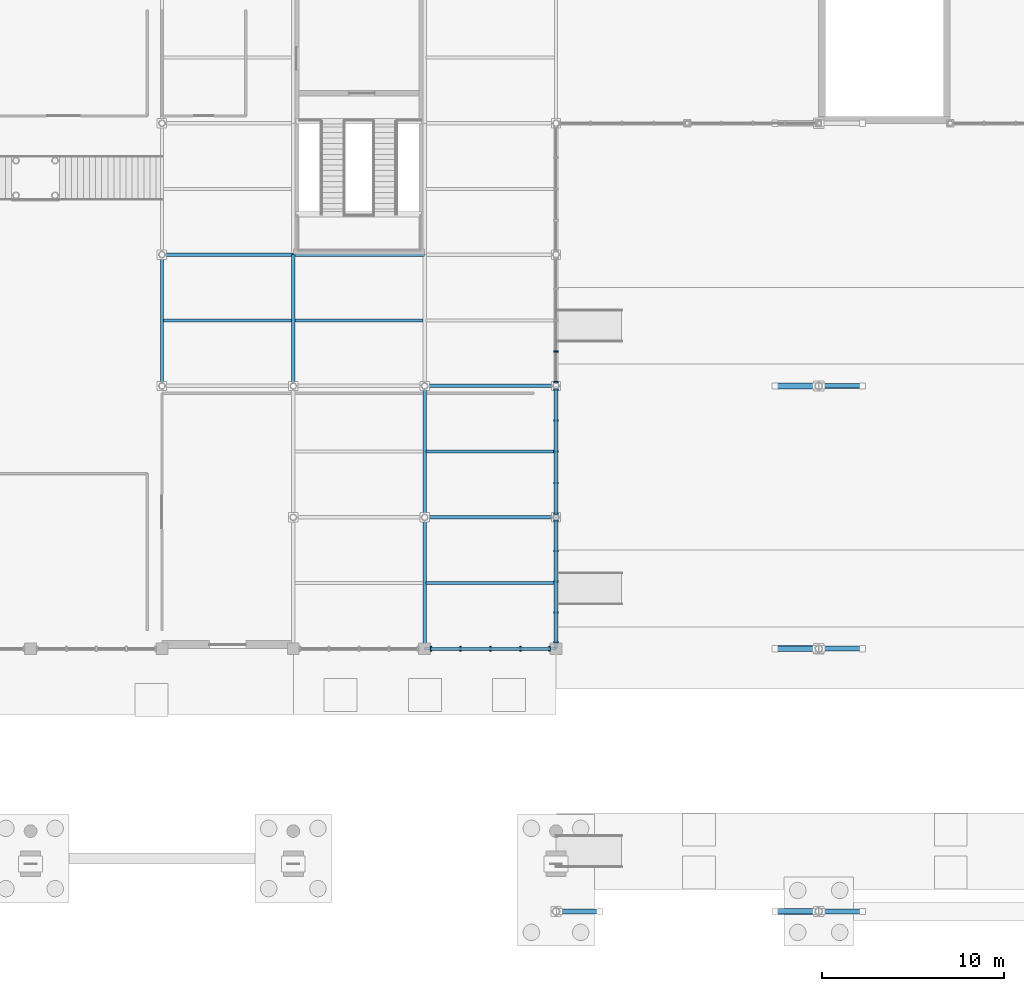
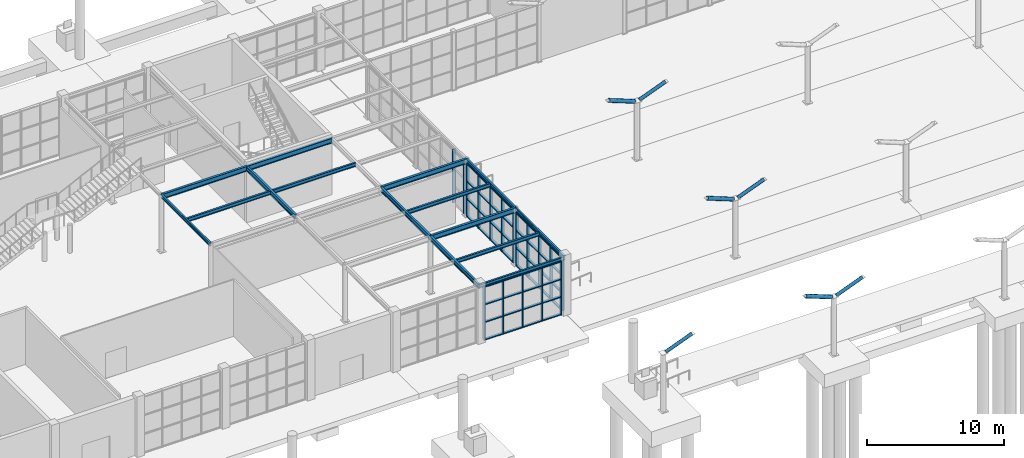
# One storey, part 25 of 75: 36 members, 15 beams, 4 elements without a shape of their own.
"""IFC4 building model written with IfcOpenShell, lengths in metres."""

from ifc_helpers import new_model, si_unit, direction, frame, origin, origin_2d, place, context, subcontext, project, spatial, rectangle, hollow_circle, i_section, extrude, material, material_profile, profile_set, type_object, element, aggregate, save


model = new_model("IFC4")

# Units and contexts
model_context = context("Model", 3, precision=1e-05, world=origin(), true_north=direction((0.0, 1.0)))
body_context = subcontext(model_context, "Body", "Model", "MODEL_VIEW")
ifc_project = project(units=[si_unit("LENGTHUNIT", "METRE"), si_unit("AREAUNIT", "SQUARE_METRE"), si_unit("VOLUMEUNIT", "CUBIC_METRE"), si_unit("PLANEANGLEUNIT", "RADIAN"), si_unit("MASSUNIT", "GRAM", prefix="KILO")], contexts=[model_context])

# Site, building, storey
site_placement = place(None, origin())
site = spatial("IfcSite", under=ifc_project, at=site_placement, CompositionType="ELEMENT")
building_placement = place(site_placement, origin())
building = spatial("IfcBuilding", under=site, at=building_placement, Name="Leyfeld Transit Interchange", CompositionType="ELEMENT")
storey_placement = place(building_placement, origin())
storey = spatial("IfcBuildingStorey", under=building, at=storey_placement, Name="L00", CompositionType="ELEMENT", Elevation=0.0)

# Beams
ifc_material_1 = material(Name="Steel S355J2", Category="steel")
ifc_material_profile_1 = material_profile(ifc_material_1, i_section(OverallWidth=0.14990234375, OverallDepth=0.300048828125, WebThickness=0.007080078125, FlangeThickness=0.0107421875, FilletRadius=0.014892578125, at=origin_2d()), Name="IPE 300")
ifc_profile_set_1 = profile_set([ifc_material_profile_1], Name="Steel S355J2")
beam_type_1 = type_object("IfcBeamType", Name="BM-STL-IPE300", PredefinedType="SPANDREL", material=ifc_profile_set_1)
beam_1_placement = place(storey_placement, frame((79.199951171875, 28.800048828125, 4.949951171875), z_axis=(0.0, 1.0, 0.0), x_axis=(-1.0, 0.0, 0.0)))
element("IfcBeam", 1, at=beam_1_placement, inside=storey, type_object=beam_type_1, Name="Beam BM-L00-0792_0288-0792_0360", PredefinedType="SPANDREL", context=body_context, shape_type="SweptSolid", body=[
    extrude(i_section(OverallWidth=0.14990234375, OverallDepth=0.300048828125, WebThickness=0.007080078125, FlangeThickness=0.0107421875, FilletRadius=0.014892578125, at=origin_2d()), origin(), (0.0, 0.0, 1.0), 7.199951171875),
])
beam_2_placement = place(storey_placement, frame((100.800048828125, 14.39990234375, 4.949951171875), z_axis=(0.0, 1.0, 0.0), x_axis=(-1.0, 0.0, 0.0)))
element("IfcBeam", 2, at=beam_2_placement, inside=storey, type_object=beam_type_1, Name="Beam BM-L00-1008_0144-1008_0216", PredefinedType="SPANDREL", context=body_context, shape_type="SweptSolid", body=[
    extrude(i_section(OverallWidth=0.14990234375, OverallDepth=0.300048828125, WebThickness=0.007080078125, FlangeThickness=0.0107421875, FilletRadius=0.014892578125, at=origin_2d()), origin(), (0.0, 0.0, 1.0), 7.2001953125),
])
for number, where, z_axis, x_axis, name in (
    (3, (100.800048828125, 21.60009765625, 4.949951171875), (0.0, 1.0, 0.0), (-1.0, 0.0, 0.0), "Beam BM-L00-1008_0216-1008_0288"),
    (4, (93.60009765625, 14.39990234375, 4.949951171875), (1.0, 0.0, 0.0), (0.0, 1.0, 0.0), "Beam BM-L00-0936_0144-1008_0144"),
):
    element("IfcBeam", number, at=place(storey_placement, frame(where, z_axis=z_axis, x_axis=x_axis)), inside=storey, type_object=beam_type_1, Name=name, PredefinedType="SPANDREL", context=body_context, shape_type="SweptSolid", body=[
        extrude(i_section(OverallWidth=0.14990234375, OverallDepth=0.300048828125, WebThickness=0.007080078125, FlangeThickness=0.0107421875, FilletRadius=0.014892578125, at=origin_2d()), origin(), (0.0, 0.0, 1.0), 7.199951171875),
    ])
ifc_material_profile_2 = material_profile(ifc_material_1, i_section(OverallWidth=0.159912109375, OverallDepth=0.330078125, WebThickness=0.007568359375, FlangeThickness=0.011474609375, FilletRadius=0.01806640625, at=origin_2d()), Name="IPE 330")
ifc_profile_set_2 = profile_set([ifc_material_profile_2], Name="Steel S355J2")
beam_type_2 = type_object("IfcBeamType", Name="BM-STL-IPE330", PredefinedType="BEAM", material=ifc_profile_set_2)
for number, where, z_axis, x_axis, name in (
    (5, (93.68701171875, 18.0, 4.93505859375), (1.0, 0.0, 0.0), (0.0, 1.0, 0.0), "Beam BM-L00-0937_0180-1007_0180"),
    (6, (93.68701171875, 25.199951171875, 4.93505859375), (1.0, 0.0, 0.0), (0.0, 1.0, 0.0), "Beam BM-L00-0937_0252-1007_0252"),
    (7, (79.27197265625, 32.39990234375, 4.93505859375), (1.0, 0.0, 0.0), (0.0, 1.0, 0.0), "Beam BM-L00-0793_0324-0863_0324"),
):
    element("IfcBeam", number, at=place(storey_placement, frame(where, z_axis=z_axis, x_axis=x_axis)), inside=storey, type_object=beam_type_2, Name=name, PredefinedType="BEAM", context=body_context, shape_type="SweptSolid", body=[
        extrude(i_section(OverallWidth=0.159912109375, OverallDepth=0.330078125, WebThickness=0.007568359375, FlangeThickness=0.011474609375, FilletRadius=0.01806640625, at=origin_2d()), origin(), (0.0, 0.0, 1.0), 7.041015625),
    ])
beam_3_placement = place(storey_placement, frame((86.487060546875, 32.39990234375, 4.93505859375), z_axis=(1.0, 0.0, 0.0), x_axis=(0.0, 1.0, 0.0)))
element("IfcBeam", 8, at=beam_3_placement, inside=storey, type_object=beam_type_2, Name="Beam BM-L00-0865_0324-0935_0324", PredefinedType="BEAM", context=body_context, shape_type="SweptSolid", body=[
    extrude(i_section(OverallWidth=0.159912109375, OverallDepth=0.330078125, WebThickness=0.007568359375, FlangeThickness=0.011474609375, FilletRadius=0.01806640625, at=origin_2d()), origin(), (0.0, 0.0, 1.0), 7.02587890625),
])
ifc_material_profile_3 = material_profile(ifc_material_1, i_section(OverallWidth=0.179931640625, OverallDepth=0.39990234375, WebThickness=0.008544921875, FlangeThickness=0.013427734375, FilletRadius=0.02099609375, at=origin_2d()), Name="IPE 400")
ifc_profile_set_3 = profile_set([ifc_material_profile_3], Name="Steel S355J2")
beam_type_3 = type_object("IfcBeamType", Name="BM-STL-IPE400", PredefinedType="BEAM", material=ifc_profile_set_3)
beam_4_placement = place(storey_placement, frame((86.39990234375, 28.800048828125, 4.89990234375), z_axis=(0.0, 1.0, 0.0), x_axis=(-1.0, 0.0, 0.0)))
element("IfcBeam", 9, at=beam_4_placement, inside=storey, type_object=beam_type_3, Name="Beam BM-L00-0864_0288-0864_0360", PredefinedType="BEAM", context=body_context, shape_type="SweptSolid", body=[
    extrude(i_section(OverallWidth=0.179931640625, OverallDepth=0.39990234375, WebThickness=0.008544921875, FlangeThickness=0.013427734375, FilletRadius=0.02099609375, at=origin_2d()), origin(), (0.0, 0.0, 1.0), 7.199951171875),
])
beam_5_placement = place(storey_placement, frame((93.60009765625, 14.39990234375, 4.89990234375), z_axis=(0.0, 1.0, 0.0), x_axis=(-1.0, 0.0, 0.0)))
element("IfcBeam", 10, at=beam_5_placement, inside=storey, type_object=beam_type_3, Name="Beam BM-L00-0936_0144-0936_0216", PredefinedType="BEAM", context=body_context, shape_type="SweptSolid", body=[
    extrude(i_section(OverallWidth=0.179931640625, OverallDepth=0.39990234375, WebThickness=0.008544921875, FlangeThickness=0.013427734375, FilletRadius=0.02099609375, at=origin_2d()), origin(), (0.0, 0.0, 1.0), 7.2001953125),
])
beam_6_placement = place(storey_placement, frame((93.60009765625, 21.60009765625, 4.89990234375), z_axis=(0.0, 1.0, 0.0), x_axis=(-1.0, 0.0, 0.0)))
element("IfcBeam", 11, at=beam_6_placement, inside=storey, type_object=beam_type_3, Name="Beam BM-L00-0936_0216-0936_0288", PredefinedType="BEAM", context=body_context, shape_type="SweptSolid", body=[
    extrude(i_section(OverallWidth=0.179931640625, OverallDepth=0.39990234375, WebThickness=0.008544921875, FlangeThickness=0.013427734375, FilletRadius=0.02099609375, at=origin_2d()), origin(), (0.0, 0.0, 1.0), 7.199951171875),
])
ifc_material_profile_4 = material_profile(ifc_material_1, i_section(OverallWidth=0.18994140625, OverallDepth=0.449951171875, WebThickness=0.009521484375, FlangeThickness=0.0146484375, FilletRadius=0.02099609375, at=origin_2d()), Name="IPE 450")
ifc_profile_set_4 = profile_set([ifc_material_profile_4], Name="Steel S355J2")
beam_type_4 = type_object("IfcBeamType", Name="BM-STL-IPE450", PredefinedType="BEAM", material=ifc_profile_set_4)
for number, where, z_axis, x_axis, name in (
    (12, (93.60009765625, 21.60009765625, 4.875), (1.0, 0.0, 0.0), (0.0, 1.0, 0.0), "Beam BM-L00-0936_0216-1008_0216"),
    (13, (93.60009765625, 28.800048828125, 4.875), (1.0, 0.0, 0.0), (0.0, 1.0, 0.0), "Beam BM-L00-0936_0288-1008_0288"),
    (14, (79.199951171875, 36.0, 4.875), (1.0, 0.0, 0.0), (0.0, 1.0, 0.0), "Beam BM-L00-0792_0360-0864_0360"),
):
    element("IfcBeam", number, at=place(storey_placement, frame(where, z_axis=z_axis, x_axis=x_axis)), inside=storey, type_object=beam_type_4, Name=name, PredefinedType="BEAM", context=body_context, shape_type="SweptSolid", body=[
        extrude(i_section(OverallWidth=0.18994140625, OverallDepth=0.449951171875, WebThickness=0.009521484375, FlangeThickness=0.0146484375, FilletRadius=0.02099609375, at=origin_2d()), origin(), (0.0, 0.0, 1.0), 7.199951171875),
    ])
beam_7_placement = place(storey_placement, frame((86.39990234375, 36.0, 4.875), z_axis=(1.0, 0.0, 0.0), x_axis=(0.0, 1.0, 0.0)))
element("IfcBeam", 15, at=beam_7_placement, inside=storey, type_object=beam_type_4, Name="Beam BM-L00-0864_0360-0936_0360", PredefinedType="BEAM", context=body_context, shape_type="SweptSolid", body=[
    extrude(i_section(OverallWidth=0.18994140625, OverallDepth=0.449951171875, WebThickness=0.009521484375, FlangeThickness=0.0146484375, FilletRadius=0.02099609375, at=origin_2d()), origin(), (0.0, 0.0, 1.0), 7.2001953125),
])

# Curtain wall, members
ifc_material_2 = material(Name="Anodised aluminium EN AW-6060 T66", Category="aluminium")
curtain_wall_type = type_object("IfcCurtainWallType", Name="CW-SYS-ARC-7200", PredefinedType="NOTDEFINED", material=ifc_material_2)
curtain_wall_1_placement = place(storey_placement, origin())
curtain_wall_1 = element("IfcCurtainWall", 16, at=curtain_wall_1_placement, inside=storey, type_object=curtain_wall_type, Name="Curtain Wall CW-L00-029", PredefinedType="NOTDEFINED")
ifc_material_profile_5 = material_profile(ifc_material_2, rectangle(XDim=0.0849609375, YDim=0.260009765625, at=origin_2d()), Name="CW-M 85x260")
ifc_profile_set_5 = profile_set([ifc_material_profile_5], Name="Anodised aluminium EN AW-6060 T66")
member_type_1 = type_object("IfcMemberType", Name="CW-MUL-220x80", PredefinedType="MULLION", material=ifc_profile_set_5)
member_1_placement = place(storey_placement, frame((100.800048828125, 30.683837890625, 0.0), z_axis=(0.0, 0.0, 1.0), x_axis=(0.0, -1.0, 0.0)))
member_1 = element("IfcMember", 17, at=member_1_placement, type_object=member_type_1, Name="Curtain Mullion CW-L00-029-M04", PredefinedType="MULLION", context=body_context, shape_type="SweptSolid", body=[
    extrude(rectangle(XDim=0.0849609375, YDim=0.260009765625, at=origin_2d()), origin(), (0.0, 0.0, 1.0), 4.77001953125),
])
member_2_placement = place(storey_placement, frame((100.800048828125, 29.01025390625, 0.0), z_axis=(0.0, 0.0, 1.0), x_axis=(0.0, -1.0, 0.0)))
member_2 = element("IfcMember", 18, at=member_2_placement, type_object=member_type_1, Name="Curtain Mullion CW-L00-029-M05", PredefinedType="MULLION", context=body_context, shape_type="SweptSolid", body=[
    extrude(rectangle(XDim=0.0849609375, YDim=0.260009765625, at=origin_2d()), origin(), (0.0, 0.0, 1.0), 4.77001953125),
])
aggregate(curtain_wall_1, [member_1, member_2])

curtain_wall_2_placement = place(storey_placement, origin())
curtain_wall_2 = element("IfcCurtainWall", 19, at=curtain_wall_2_placement, inside=storey, type_object=curtain_wall_type, Name="Curtain Wall CW-L00-030", PredefinedType="NOTDEFINED")
member_3_placement = place(storey_placement, frame((100.800048828125, 28.589599609375, 0.0), z_axis=(0.0, 0.0, 1.0), x_axis=(0.0, -1.0, 0.0)))
member_3 = element("IfcMember", 20, at=member_3_placement, type_object=member_type_1, Name="Curtain Mullion CW-L00-030-M01", PredefinedType="MULLION", context=body_context, shape_type="SweptSolid", body=[
    extrude(rectangle(XDim=0.0849609375, YDim=0.260009765625, at=origin_2d()), origin(), (0.0, 0.0, 1.0), 4.77001953125),
])
member_4_placement = place(storey_placement, frame((100.800048828125, 26.916015625, 0.0), z_axis=(0.0, 0.0, 1.0), x_axis=(0.0, -1.0, 0.0)))
member_4 = element("IfcMember", 21, at=member_4_placement, type_object=member_type_1, Name="Curtain Mullion CW-L00-030-M02", PredefinedType="MULLION", context=body_context, shape_type="SweptSolid", body=[
    extrude(rectangle(XDim=0.0849609375, YDim=0.260009765625, at=origin_2d()), origin(), (0.0, 0.0, 1.0), 4.77001953125),
])
member_5_placement = place(storey_placement, frame((100.800048828125, 25.199951171875, 0.0), z_axis=(0.0, 0.0, 1.0), x_axis=(0.0, -1.0, 0.0)))
member_5 = element("IfcMember", 22, at=member_5_placement, type_object=member_type_1, Name="Curtain Mullion CW-L00-030-M03", PredefinedType="MULLION", context=body_context, shape_type="SweptSolid", body=[
    extrude(rectangle(XDim=0.0849609375, YDim=0.260009765625, at=origin_2d()), origin(), (0.0, 0.0, 1.0), 4.77001953125),
])
member_6_placement = place(storey_placement, frame((100.800048828125, 23.48388671875, 0.0), z_axis=(0.0, 0.0, 1.0), x_axis=(0.0, -1.0, 0.0)))
member_6 = element("IfcMember", 23, at=member_6_placement, type_object=member_type_1, Name="Curtain Mullion CW-L00-030-M04", PredefinedType="MULLION", context=body_context, shape_type="SweptSolid", body=[
    extrude(rectangle(XDim=0.0849609375, YDim=0.260009765625, at=origin_2d()), origin(), (0.0, 0.0, 1.0), 4.77001953125),
])
member_7_placement = place(storey_placement, frame((100.800048828125, 21.810302734375, 0.0), z_axis=(0.0, 0.0, 1.0), x_axis=(0.0, -1.0, 0.0)))
member_7 = element("IfcMember", 24, at=member_7_placement, type_object=member_type_1, Name="Curtain Mullion CW-L00-030-M05", PredefinedType="MULLION", context=body_context, shape_type="SweptSolid", body=[
    extrude(rectangle(XDim=0.0849609375, YDim=0.260009765625, at=origin_2d()), origin(), (0.0, 0.0, 1.0), 4.77001953125),
])

curtain_wall_3_placement = place(storey_placement, origin())
curtain_wall_3 = element("IfcCurtainWall", 25, at=curtain_wall_3_placement, inside=storey, type_object=curtain_wall_type, Name="Curtain Wall CW-L00-031", PredefinedType="NOTDEFINED")
member_8_placement = place(storey_placement, frame((100.800048828125, 21.3896484375, 0.0), z_axis=(0.0, 0.0, 1.0), x_axis=(0.0, -1.0, 0.0)))
member_8 = element("IfcMember", 26, at=member_8_placement, type_object=member_type_1, Name="Curtain Mullion CW-L00-031-M01", PredefinedType="MULLION", context=body_context, shape_type="SweptSolid", body=[
    extrude(rectangle(XDim=0.0849609375, YDim=0.260009765625, at=origin_2d()), origin(), (0.0, 0.0, 1.0), 4.77001953125),
])
member_9_placement = place(storey_placement, frame((100.800048828125, 19.7529296875, 0.0), z_axis=(0.0, 0.0, 1.0), x_axis=(0.0, -1.0, 0.0)))
member_9 = element("IfcMember", 27, at=member_9_placement, type_object=member_type_1, Name="Curtain Mullion CW-L00-031-M02", PredefinedType="MULLION", context=body_context, shape_type="SweptSolid", body=[
    extrude(rectangle(XDim=0.0849609375, YDim=0.260009765625, at=origin_2d()), origin(), (0.0, 0.0, 1.0), 4.77001953125),
])
member_10_placement = place(storey_placement, frame((100.800048828125, 18.073486328125, 0.0), z_axis=(0.0, 0.0, 1.0), x_axis=(0.0, -1.0, 0.0)))
member_10 = element("IfcMember", 28, at=member_10_placement, type_object=member_type_1, Name="Curtain Mullion CW-L00-031-M03", PredefinedType="MULLION", context=body_context, shape_type="SweptSolid", body=[
    extrude(rectangle(XDim=0.0849609375, YDim=0.260009765625, at=origin_2d()), origin(), (0.0, 0.0, 1.0), 4.77001953125),
])
member_11_placement = place(storey_placement, frame((100.800048828125, 16.394287109375, 0.0), z_axis=(0.0, 0.0, 1.0), x_axis=(0.0, -1.0, 0.0)))
member_11 = element("IfcMember", 29, at=member_11_placement, type_object=member_type_1, Name="Curtain Mullion CW-L00-031-M04", PredefinedType="MULLION", context=body_context, shape_type="SweptSolid", body=[
    extrude(rectangle(XDim=0.0849609375, YDim=0.260009765625, at=origin_2d()), origin(), (0.0, 0.0, 1.0), 4.77001953125),
])
member_12_placement = place(storey_placement, frame((100.800048828125, 14.757568359375, 0.0), z_axis=(0.0, 0.0, 1.0), x_axis=(0.0, -1.0, 0.0)))
member_12 = element("IfcMember", 30, at=member_12_placement, type_object=member_type_1, Name="Curtain Mullion CW-L00-031-M05", PredefinedType="MULLION", context=body_context, shape_type="SweptSolid", body=[
    extrude(rectangle(XDim=0.0849609375, YDim=0.260009765625, at=origin_2d()), origin(), (0.0, 0.0, 1.0), 4.77001953125),
])

curtain_wall_4_placement = place(storey_placement, origin())
curtain_wall_4 = element("IfcCurtainWall", 31, at=curtain_wall_4_placement, inside=storey, type_object=curtain_wall_type, Name="Curtain Wall CW-L00-032", PredefinedType="NOTDEFINED")
member_13_placement = place(storey_placement, frame((100.4423828125, 14.39990234375, 0.0), z_axis=(0.0, 0.0, 1.0), x_axis=(-1.0, 0.0, 0.0)))
member_13 = element("IfcMember", 32, at=member_13_placement, type_object=member_type_1, Name="Curtain Mullion CW-L00-032-M01", PredefinedType="MULLION", context=body_context, shape_type="SweptSolid", body=[
    extrude(rectangle(XDim=0.0849609375, YDim=0.260009765625, at=origin_2d()), origin(), (0.0, 0.0, 1.0), 4.800048828125),
])
member_14_placement = place(storey_placement, frame((98.842529296875, 14.39990234375, 0.0), z_axis=(0.0, 0.0, 1.0), x_axis=(-1.0, 0.0, 0.0)))
member_14 = element("IfcMember", 33, at=member_14_placement, type_object=member_type_1, Name="Curtain Mullion CW-L00-032-M02", PredefinedType="MULLION", context=body_context, shape_type="SweptSolid", body=[
    extrude(rectangle(XDim=0.0849609375, YDim=0.260009765625, at=origin_2d()), origin(), (0.0, 0.0, 1.0), 4.800048828125),
])
member_15_placement = place(storey_placement, frame((97.199951171875, 14.39990234375, 0.0), z_axis=(0.0, 0.0, 1.0), x_axis=(-1.0, 0.0, 0.0)))
member_15 = element("IfcMember", 34, at=member_15_placement, type_object=member_type_1, Name="Curtain Mullion CW-L00-032-M03", PredefinedType="MULLION", context=body_context, shape_type="SweptSolid", body=[
    extrude(rectangle(XDim=0.0849609375, YDim=0.260009765625, at=origin_2d()), origin(), (0.0, 0.0, 1.0), 4.800048828125),
])
member_16_placement = place(storey_placement, frame((95.5576171875, 14.39990234375, 0.0), z_axis=(0.0, 0.0, 1.0), x_axis=(-1.0, 0.0, 0.0)))
member_16 = element("IfcMember", 35, at=member_16_placement, type_object=member_type_1, Name="Curtain Mullion CW-L00-032-M04", PredefinedType="MULLION", context=body_context, shape_type="SweptSolid", body=[
    extrude(rectangle(XDim=0.0849609375, YDim=0.260009765625, at=origin_2d()), origin(), (0.0, 0.0, 1.0), 4.800048828125),
])
member_17_placement = place(storey_placement, frame((93.95751953125, 14.39990234375, 0.0), z_axis=(0.0, 0.0, 1.0), x_axis=(-1.0, 0.0, 0.0)))
member_17 = element("IfcMember", 36, at=member_17_placement, type_object=member_type_1, Name="Curtain Mullion CW-L00-032-M05", PredefinedType="MULLION", context=body_context, shape_type="SweptSolid", body=[
    extrude(rectangle(XDim=0.0849609375, YDim=0.260009765625, at=origin_2d()), origin(), (0.0, 0.0, 1.0), 4.800048828125),
])

# Member
ifc_material_profile_6 = material_profile(ifc_material_2, rectangle(XDim=0.2099609375, YDim=0.0849609375, at=origin_2d()), Name="CW-TRN-200x80")
ifc_profile_set_6 = profile_set([ifc_material_profile_6], Name="Anodised aluminium EN AW-6060 T66")
member_type_2 = type_object("IfcMemberType", Name="CW-TRN-200x80", PredefinedType="USERDEFINED", material=ifc_profile_set_6)
member_18_placement = place(storey_placement, frame((100.800048828125, 28.632080078125, 0.04248046875), z_axis=(0.0, -1.0, 0.0), x_axis=(1.0, 0.0, 0.0)))
member_18 = element("IfcMember", 37, at=member_18_placement, type_object=member_type_2, Name="Curtain Transom CW-L00-030-T01", ObjectType="TRANSOM", PredefinedType="USERDEFINED", context=body_context, shape_type="SweptSolid", body=[
    extrude(rectangle(XDim=0.2099609375, YDim=0.0849609375, at=origin_2d()), origin(), (0.0, 0.0, 1.0), 6.8642578125),
])

member_19_placement = place(storey_placement, frame((100.800048828125, 28.632080078125, 1.604248046875), z_axis=(0.0, -1.0, 0.0), x_axis=(1.0, 0.0, 0.0)))
member_19 = element("IfcMember", 38, at=member_19_placement, type_object=member_type_2, Name="Curtain Transom CW-L00-030-T02", ObjectType="TRANSOM", PredefinedType="USERDEFINED", context=body_context, shape_type="SweptSolid", body=[
    extrude(rectangle(XDim=0.2099609375, YDim=0.0849609375, at=origin_2d()), origin(), (0.0, 0.0, 1.0), 6.8642578125),
])

member_20_placement = place(storey_placement, frame((100.800048828125, 28.632080078125, 3.165771484375), z_axis=(0.0, -1.0, 0.0), x_axis=(1.0, 0.0, 0.0)))
member_20 = element("IfcMember", 39, at=member_20_placement, type_object=member_type_2, Name="Curtain Transom CW-L00-030-T03", ObjectType="TRANSOM", PredefinedType="USERDEFINED", context=body_context, shape_type="SweptSolid", body=[
    extrude(rectangle(XDim=0.2099609375, YDim=0.0849609375, at=origin_2d()), origin(), (0.0, 0.0, 1.0), 6.8642578125),
])

member_21_placement = place(storey_placement, frame((100.800048828125, 28.632080078125, 4.7275390625), z_axis=(0.0, -1.0, 0.0), x_axis=(1.0, 0.0, 0.0)))
member_21 = element("IfcMember", 40, at=member_21_placement, type_object=member_type_2, Name="Curtain Transom CW-L00-030-T04", ObjectType="TRANSOM", PredefinedType="USERDEFINED", context=body_context, shape_type="SweptSolid", body=[
    extrude(rectangle(XDim=0.2099609375, YDim=0.0849609375, at=origin_2d()), origin(), (0.0, 0.0, 1.0), 6.8642578125),
])

aggregate(curtain_wall_2, [member_3, member_4, member_5, member_6, member_7, member_18, member_19, member_20, member_21])

member_22_placement = place(storey_placement, frame((100.800048828125, 21.43212890625, 0.04248046875), z_axis=(0.0, -1.0, 0.0), x_axis=(1.0, 0.0, 0.0)))
member_22 = element("IfcMember", 41, at=member_22_placement, type_object=member_type_2, Name="Curtain Transom CW-L00-031-T01", ObjectType="TRANSOM", PredefinedType="USERDEFINED", context=body_context, shape_type="SweptSolid", body=[
    extrude(rectangle(XDim=0.2099609375, YDim=0.0849609375, at=origin_2d()), origin(), (0.0, 0.0, 1.0), 6.717041015625),
])

member_23_placement = place(storey_placement, frame((100.800048828125, 21.43212890625, 1.604248046875), z_axis=(0.0, -1.0, 0.0), x_axis=(1.0, 0.0, 0.0)))
member_23 = element("IfcMember", 42, at=member_23_placement, type_object=member_type_2, Name="Curtain Transom CW-L00-031-T02", ObjectType="TRANSOM", PredefinedType="USERDEFINED", context=body_context, shape_type="SweptSolid", body=[
    extrude(rectangle(XDim=0.2099609375, YDim=0.0849609375, at=origin_2d()), origin(), (0.0, 0.0, 1.0), 6.717041015625),
])

member_24_placement = place(storey_placement, frame((100.800048828125, 21.43212890625, 3.165771484375), z_axis=(0.0, -1.0, 0.0), x_axis=(1.0, 0.0, 0.0)))
member_24 = element("IfcMember", 43, at=member_24_placement, type_object=member_type_2, Name="Curtain Transom CW-L00-031-T03", ObjectType="TRANSOM", PredefinedType="USERDEFINED", context=body_context, shape_type="SweptSolid", body=[
    extrude(rectangle(XDim=0.2099609375, YDim=0.0849609375, at=origin_2d()), origin(), (0.0, 0.0, 1.0), 6.717041015625),
])

member_25_placement = place(storey_placement, frame((100.800048828125, 21.43212890625, 4.7275390625), z_axis=(0.0, -1.0, 0.0), x_axis=(1.0, 0.0, 0.0)))
member_25 = element("IfcMember", 44, at=member_25_placement, type_object=member_type_2, Name="Curtain Transom CW-L00-031-T04", ObjectType="TRANSOM", PredefinedType="USERDEFINED", context=body_context, shape_type="SweptSolid", body=[
    extrude(rectangle(XDim=0.2099609375, YDim=0.0849609375, at=origin_2d()), origin(), (0.0, 0.0, 1.0), 6.717041015625),
])

aggregate(curtain_wall_3, [member_8, member_9, member_10, member_11, member_12, member_22, member_23, member_24, member_25])

member_26_placement = place(storey_placement, frame((100.485107421875, 14.39990234375, 0.04248046875), z_axis=(-1.0, 0.0, 0.0), x_axis=(0.0, -1.0, 0.0)))
member_26 = element("IfcMember", 45, at=member_26_placement, type_object=member_type_2, Name="Curtain Transom CW-L00-032-T01", ObjectType="TRANSOM", PredefinedType="USERDEFINED", context=body_context, shape_type="SweptSolid", body=[
    extrude(rectangle(XDim=0.2099609375, YDim=0.0849609375, at=origin_2d()), origin(), (0.0, 0.0, 1.0), 6.570068359375),
])

member_27_placement = place(storey_placement, frame((100.485107421875, 14.39990234375, 1.6142578125), z_axis=(-1.0, 0.0, 0.0), x_axis=(0.0, -1.0, 0.0)))
member_27 = element("IfcMember", 46, at=member_27_placement, type_object=member_type_2, Name="Curtain Transom CW-L00-032-T02", ObjectType="TRANSOM", PredefinedType="USERDEFINED", context=body_context, shape_type="SweptSolid", body=[
    extrude(rectangle(XDim=0.2099609375, YDim=0.0849609375, at=origin_2d()), origin(), (0.0, 0.0, 1.0), 6.570068359375),
])

member_28_placement = place(storey_placement, frame((100.485107421875, 14.39990234375, 3.185791015625), z_axis=(-1.0, 0.0, 0.0), x_axis=(0.0, -1.0, 0.0)))
member_28 = element("IfcMember", 47, at=member_28_placement, type_object=member_type_2, Name="Curtain Transom CW-L00-032-T03", ObjectType="TRANSOM", PredefinedType="USERDEFINED", context=body_context, shape_type="SweptSolid", body=[
    extrude(rectangle(XDim=0.2099609375, YDim=0.0849609375, at=origin_2d()), origin(), (0.0, 0.0, 1.0), 6.570068359375),
])

member_29_placement = place(storey_placement, frame((100.485107421875, 14.39990234375, 4.757568359375), z_axis=(-1.0, 0.0, 0.0), x_axis=(0.0, -1.0, 0.0)))
member_29 = element("IfcMember", 48, at=member_29_placement, type_object=member_type_2, Name="Curtain Transom CW-L00-032-T04", ObjectType="TRANSOM", PredefinedType="USERDEFINED", context=body_context, shape_type="SweptSolid", body=[
    extrude(rectangle(XDim=0.2099609375, YDim=0.0849609375, at=origin_2d()), origin(), (0.0, 0.0, 1.0), 6.570068359375),
])

aggregate(curtain_wall_4, [member_13, member_14, member_15, member_16, member_17, member_26, member_27, member_28, member_29])

# Members
ifc_material_profile_7 = material_profile(ifc_material_1, hollow_circle(Radius=0.136474609375, WallThickness=0.012451171875, at=origin_2d()), Name="CHS 273x12.5")
ifc_profile_set_7 = profile_set([ifc_material_profile_7], Name="Steel S355J2")
member_type_3 = type_object("IfcMemberType", Name="MEM-VSTR-273", PredefinedType="STRUT", material=ifc_profile_set_7)
member_30_placement = place(storey_placement, frame((100.985107421875, 0.0, 5.18994140625), z_axis=(0.932178115879, 0.0, 0.361999945133), x_axis=(0.0, 1.0, 0.0)))
element("IfcMember", 49, at=member_30_placement, inside=storey, type_object=member_type_3, Name="Bus Canopy V-Strut 001", PredefinedType="STRUT", context=body_context, shape_type="SweptSolid", body=[
    extrude(hollow_circle(Radius=0.136474609375, WallThickness=0.012451171875, at=origin_2d()), origin(), (0.0, 0.0, 1.0), 2.3759765625),
])
for number, where, z_axis, x_axis, name in (
    (50, (115.385009765625, 0.0, 5.18994140625), (0.932191579147, 0.0, 0.361965274257), (0.0, 1.0, 0.0), "Bus Canopy V-Strut 003"),
    (51, (115.385009765625, 14.39990234375, 5.18994140625), (0.932191579147, 0.0, 0.361965274257), (0.0, 1.0, 0.0), "Bus Canopy V-Strut 005"),
    (52, (115.385009765625, 28.800048828125, 5.18994140625), (0.932191579147, 0.0, 0.361965274257), (0.0, 1.0, 0.0), "Bus Canopy V-Strut 007"),
):
    element("IfcMember", number, at=place(storey_placement, frame(where, z_axis=z_axis, x_axis=x_axis)), inside=storey, type_object=member_type_3, Name=name, PredefinedType="STRUT", context=body_context, shape_type="SweptSolid", body=[
        extrude(hollow_circle(Radius=0.136474609375, WallThickness=0.012451171875, at=origin_2d()), origin(), (0.0, 0.0, 1.0), 2.376220703125),
    ])
ifc_material_profile_8 = material_profile(ifc_material_1, hollow_circle(Radius=0.161865234375, WallThickness=0.01611328125, at=origin_2d()), Name="CHS 323.9x16")
ifc_profile_set_8 = profile_set([ifc_material_profile_8], Name="Steel S355J2")
member_type_4 = type_object("IfcMemberType", Name="MEM-VSTR-323", PredefinedType="STRUT", material=ifc_profile_set_8)
for number, where, z_axis, x_axis, name in (
    (53, (115.014892578125, 0.0, 5.18994140625), (-0.932178115879, 0.0, 0.361999945133), (0.0, -1.0, 0.0), "Bus Canopy V-Strut 002"),
    (54, (115.014892578125, 14.39990234375, 5.18994140625), (-0.932178115879, 0.0, 0.361999945133), (0.0, -1.0, 0.0), "Bus Canopy V-Strut 004"),
    (55, (115.014892578125, 28.800048828125, 5.18994140625), (-0.932178115879, 0.0, 0.361999945133), (0.0, -1.0, 0.0), "Bus Canopy V-Strut 006"),
):
    element("IfcMember", number, at=place(storey_placement, frame(where, z_axis=z_axis, x_axis=x_axis)), inside=storey, type_object=member_type_4, Name=name, PredefinedType="STRUT", context=body_context, shape_type="SweptSolid", body=[
        extrude(hollow_circle(Radius=0.161865234375, WallThickness=0.01611328125, at=origin_2d()), origin(), (0.0, 0.0, 1.0), 2.3759765625),
    ])

save(model, "model.ifc")
